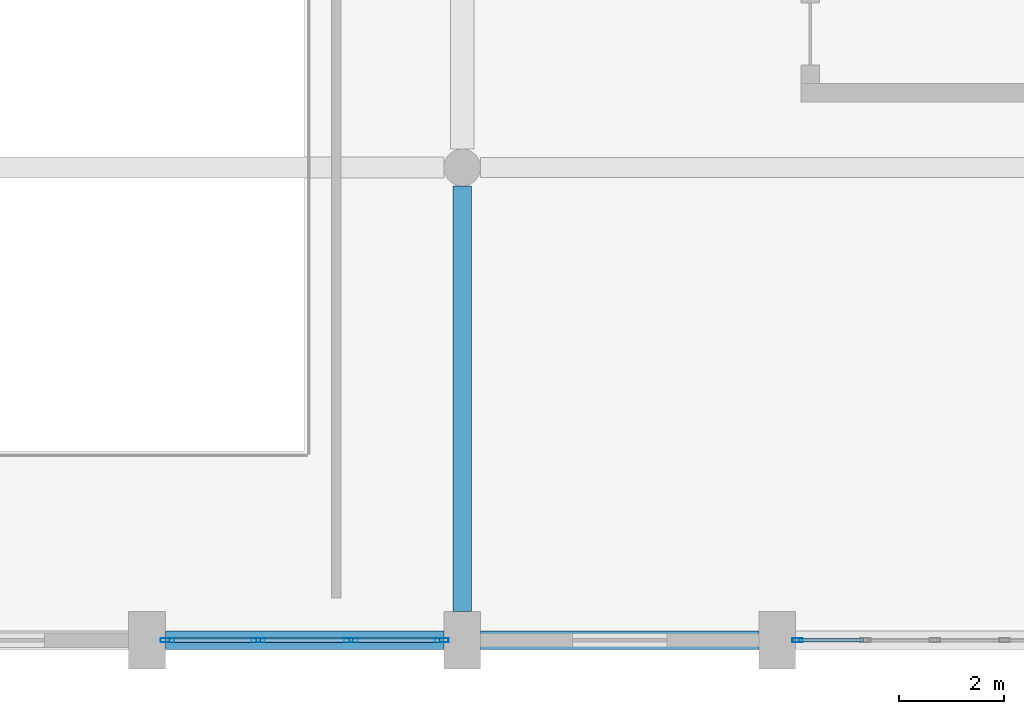
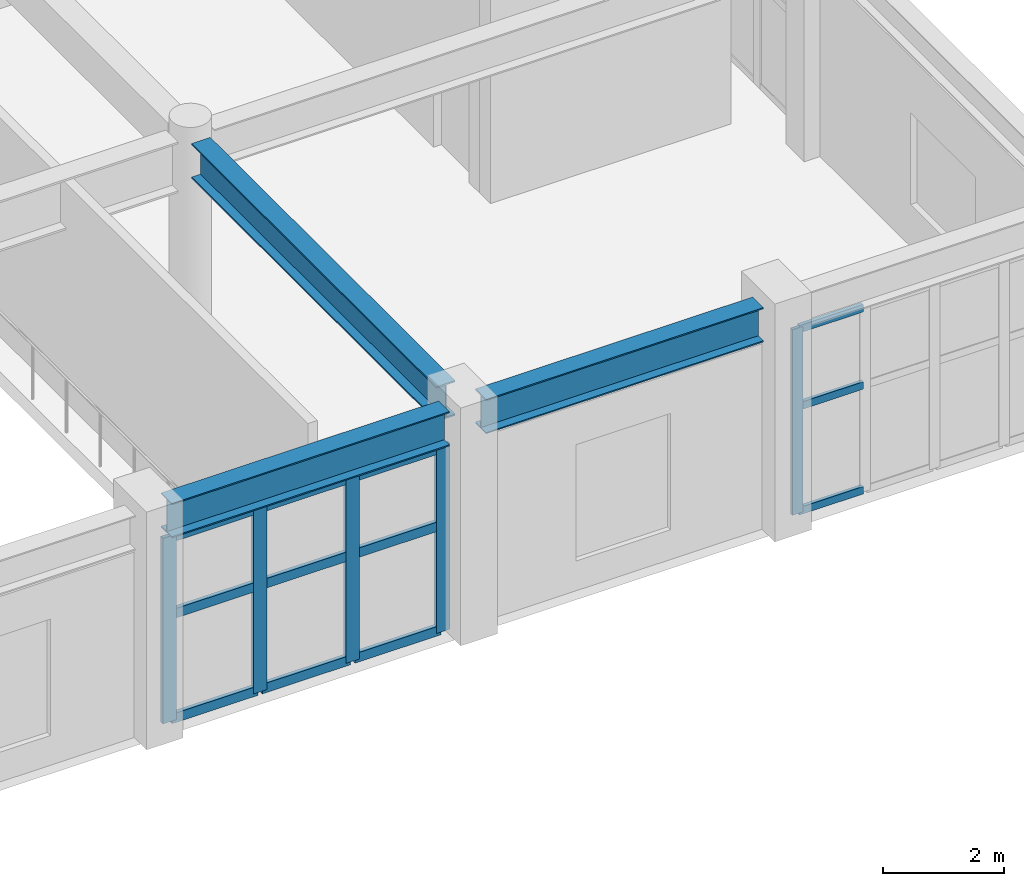
# One storey, part 20 of 85: 17 members, 3 beams, 2 elements without a shape of their own.
"""IFC4 building model written with IfcOpenShell, lengths in metres."""

from ifc_helpers import new_model, si_unit, direction, frame, origin, origin_2d, place, context, subcontext, project, spatial, hollow_rectangle, i_section, extrude, material, layer, layer_set, material_profile, profile_set, type_object, element, aggregate, save


model = new_model("IFC4")

# Units and contexts
model_context = context("Model", 3, precision=1e-05, world=origin(), true_north=direction((0.0, 1.0)))
body_context = subcontext(model_context, "Body", "Model", "MODEL_VIEW")
ifc_project = project(units=[si_unit("LENGTHUNIT", "METRE"), si_unit("AREAUNIT", "SQUARE_METRE"), si_unit("VOLUMEUNIT", "CUBIC_METRE"), si_unit("PLANEANGLEUNIT", "RADIAN"), si_unit("MASSUNIT", "GRAM", prefix="KILO")], contexts=[model_context])

# Site, building, storey
site_placement = place(None, origin())
site = spatial("IfcSite", under=ifc_project, at=site_placement, CompositionType="ELEMENT")
building_placement = place(site_placement, origin())
building = spatial("IfcBuilding", under=site, at=building_placement, Name="Vaelkrest Opera House", CompositionType="ELEMENT")
storey_placement = place(building_placement, frame((0.0, 0.0, 10.199951171875)))
storey = spatial("IfcBuildingStorey", under=building, at=storey_placement, Name="L02", CompositionType="ELEMENT", Elevation=10.199951171875)

# Beam
ifc_material_1 = material(Name="Steel A992 Gr50", Category="steel")
ifc_material_profile_1 = material_profile(ifc_material_1, i_section(OverallWidth=0.35791015625, OverallDepth=0.7060546875, WebThickness=0.018310546875, FlangeThickness=0.0302734375, at=origin_2d()), Name="W27X178")
ifc_profile_set_1 = profile_set([ifc_material_profile_1], Name="Steel A992 Gr50")
beam_type_1 = type_object("IfcBeamType", Name="B14", PredefinedType="BEAM", material=ifc_profile_set_1)
beam_placement = place(storey_placement, frame((18.0, -55.25, 4.152099609375), z_axis=(0.0, 1.0, 0.0), x_axis=(-1.0, 0.0, 0.0)))
element("IfcBeam", 1, at=beam_placement, inside=storey, type_object=beam_type_1, Name="Beam BM-V1-L02-0386", PredefinedType="BEAM", context=body_context, shape_type="SweptSolid", body=[
    extrude(i_section(OverallWidth=0.35791015625, OverallDepth=0.7060546875, WebThickness=0.018310546875, FlangeThickness=0.0302734375, at=origin_2d()), origin(), (0.0, 0.0, 1.0), 8.10009765625),
])

# Curtain wall, member
ifc_material_2 = material(Name="Dark bronze anodized aluminium", Category="aluminium")
ifc_layer_1 = layer(ifc_material_2, 0.18994140625)
ifc_layer_set_1 = layer_set([ifc_layer_1], Name="Dark bronze anodized aluminium")
curtain_wall_type_1 = type_object("IfcCurtainWallType", Name="CW02", PredefinedType="NOTDEFINED", material=ifc_layer_set_1)
curtain_wall_1_placement = place(storey_placement, origin())
curtain_wall_1 = element("IfcCurtainWall", 2, at=curtain_wall_1_placement, inside=storey, type_object=curtain_wall_type_1, Name="Curtain wall CW-L02-031", PredefinedType="NOTDEFINED")
ifc_material_profile_2 = material_profile(ifc_material_2, hollow_rectangle(XDim=0.070068359375, YDim=0.199951171875, WallThickness=0.004150390625, at=origin_2d()), Name="CWM70X200")
ifc_profile_set_2 = profile_set([ifc_material_profile_2], Name="Dark bronze anodized aluminium")
member_type_1 = type_object("IfcMemberType", Name="CWM02", PredefinedType="MULLION", material=ifc_profile_set_2)
member_1_placement = place(storey_placement, frame((24.383056640625, -55.800048828125, 0.0), z_axis=(0.0, 0.0, 1.0), x_axis=(0.0, -1.0, 0.0)))
member_1 = element("IfcMember", 3, at=member_1_placement, type_object=member_type_1, Name="CW02 mullion 5", PredefinedType="MULLION", context=body_context, shape_type="SweptSolid", body=[
    extrude(hollow_rectangle(XDim=0.070068359375, YDim=0.199951171875, WallThickness=0.004150390625, at=origin_2d()), origin(), (0.0, 0.0, 1.0), 3.7451171875),
])

# Curtain wall, members
ifc_layer_2 = layer(ifc_material_2, 0.2099609375)
ifc_layer_set_2 = layer_set([ifc_layer_2], Name="Dark bronze anodized aluminium")
curtain_wall_type_2 = type_object("IfcCurtainWallType", Name="CW04", PredefinedType="NOTDEFINED", material=ifc_layer_set_2)
curtain_wall_2_placement = place(storey_placement, origin())
curtain_wall_2 = element("IfcCurtainWall", 4, at=curtain_wall_2_placement, inside=storey, type_object=curtain_wall_type_2, Name="Curtain wall CW-L02-032", PredefinedType="NOTDEFINED")
ifc_material_profile_3 = material_profile(ifc_material_2, hollow_rectangle(XDim=0.080078125, YDim=0.260009765625, WallThickness=0.0048828125, at=origin_2d()), Name="CWM80X260")
ifc_profile_set_3 = profile_set([ifc_material_profile_3], Name="Dark bronze anodized aluminium")
member_type_2 = type_object("IfcMemberType", Name="CWM04", PredefinedType="MULLION", material=ifc_profile_set_3)
member_2_placement = place(storey_placement, frame((17.612060546875, -55.800048828125, 0.0), z_axis=(0.0, 0.0, 1.0), x_axis=(0.0, -1.0, 0.0)))
member_2 = element("IfcMember", 5, at=member_2_placement, type_object=member_type_2, Name="CW04 mullion 1", PredefinedType="MULLION", context=body_context, shape_type="SweptSolid", body=[
    extrude(hollow_rectangle(XDim=0.080078125, YDim=0.260009765625, WallThickness=0.0048828125, at=origin_2d()), origin(), (0.0, 0.0, 1.0), 3.7451171875),
])
member_3_placement = place(storey_placement, frame((15.884033203125, -55.800048828125, 0.0), z_axis=(0.0, 0.0, 1.0), x_axis=(0.0, -1.0, 0.0)))
member_3 = element("IfcMember", 6, at=member_3_placement, type_object=member_type_2, Name="CW04 mullion 2", PredefinedType="MULLION", context=body_context, shape_type="SweptSolid", body=[
    extrude(hollow_rectangle(XDim=0.080078125, YDim=0.260009765625, WallThickness=0.0048828125, at=origin_2d()), origin(), (0.0, 0.0, 1.0), 3.7451171875),
])
member_4_placement = place(storey_placement, frame((14.115966796875, -55.800048828125, 0.0), z_axis=(0.0, 0.0, 1.0), x_axis=(0.0, -1.0, 0.0)))
member_4 = element("IfcMember", 7, at=member_4_placement, type_object=member_type_2, Name="CW04 mullion 3", PredefinedType="MULLION", context=body_context, shape_type="SweptSolid", body=[
    extrude(hollow_rectangle(XDim=0.080078125, YDim=0.260009765625, WallThickness=0.0048828125, at=origin_2d()), origin(), (0.0, 0.0, 1.0), 3.7451171875),
])
member_5_placement = place(storey_placement, frame((12.387939453125, -55.800048828125, 0.0), z_axis=(0.0, 0.0, 1.0), x_axis=(0.0, -1.0, 0.0)))
member_5 = element("IfcMember", 8, at=member_5_placement, type_object=member_type_2, Name="CW04 mullion 4", PredefinedType="MULLION", context=body_context, shape_type="SweptSolid", body=[
    extrude(hollow_rectangle(XDim=0.080078125, YDim=0.260009765625, WallThickness=0.0048828125, at=origin_2d()), origin(), (0.0, 0.0, 1.0), 3.7451171875),
])

# Member
ifc_material_profile_4 = material_profile(ifc_material_2, hollow_rectangle(XDim=0.070068359375, YDim=0.14990234375, WallThickness=0.004150390625, at=origin_2d()), Name="CWT70X150")
ifc_profile_set_4 = profile_set([ifc_material_profile_4], Name="Dark bronze anodized aluminium")
member_type_3 = type_object("IfcMemberType", Name="CWT02", PredefinedType="USERDEFINED", material=ifc_profile_set_4)
member_6_placement = place(storey_placement, frame((25.638916015625, -55.800048828125, 0.03515625), z_axis=(-1.0, 0.0, 0.0), x_axis=(0.0, -1.0, 0.0)))
member_6 = element("IfcMember", 9, at=member_6_placement, type_object=member_type_3, Name="CW02 transom 4.1", ObjectType="TRANSOM", PredefinedType="USERDEFINED", context=body_context, shape_type="SweptSolid", body=[
    extrude(hollow_rectangle(XDim=0.070068359375, YDim=0.14990234375, WallThickness=0.004150390625, at=origin_2d()), origin(), (0.0, 0.0, 1.0), 1.220947265625),
])

member_7_placement = place(storey_placement, frame((25.638916015625, -55.800048828125, 2.150146484375), z_axis=(-1.0, 0.0, 0.0), x_axis=(0.0, -1.0, 0.0)))
member_7 = element("IfcMember", 10, at=member_7_placement, type_object=member_type_3, Name="CW02 transom 4.2", ObjectType="TRANSOM", PredefinedType="USERDEFINED", context=body_context, shape_type="SweptSolid", body=[
    extrude(hollow_rectangle(XDim=0.070068359375, YDim=0.14990234375, WallThickness=0.004150390625, at=origin_2d()), origin(), (0.0, 0.0, 1.0), 1.220947265625),
])

member_8_placement = place(storey_placement, frame((25.638916015625, -55.800048828125, 3.7099609375), z_axis=(-1.0, 0.0, 0.0), x_axis=(0.0, -1.0, 0.0)))
member_8 = element("IfcMember", 11, at=member_8_placement, type_object=member_type_3, Name="CW02 transom 4.3", ObjectType="TRANSOM", PredefinedType="USERDEFINED", context=body_context, shape_type="SweptSolid", body=[
    extrude(hollow_rectangle(XDim=0.070068359375, YDim=0.14990234375, WallThickness=0.004150390625, at=origin_2d()), origin(), (0.0, 0.0, 1.0), 1.220947265625),
])

aggregate(curtain_wall_1, [member_1, member_6, member_7, member_8])

ifc_material_profile_5 = material_profile(ifc_material_2, hollow_rectangle(XDim=0.080078125, YDim=0.18994140625, WallThickness=0.0048828125, at=origin_2d()), Name="CWT80X190")
ifc_profile_set_5 = profile_set([ifc_material_profile_5], Name="Dark bronze anodized aluminium")
member_type_4 = type_object("IfcMemberType", Name="CWT04", PredefinedType="USERDEFINED", material=ifc_profile_set_5)
member_9_placement = place(storey_placement, frame((17.572021484375, -55.800048828125, 0.0400390625), z_axis=(-1.0, 0.0, 0.0), x_axis=(0.0, -1.0, 0.0)))
member_9 = element("IfcMember", 12, at=member_9_placement, type_object=member_type_4, Name="CW04 transom 1.1", ObjectType="TRANSOM", PredefinedType="USERDEFINED", context=body_context, shape_type="SweptSolid", body=[
    extrude(hollow_rectangle(XDim=0.080078125, YDim=0.18994140625, WallThickness=0.0048828125, at=origin_2d()), origin(), (0.0, 0.0, 1.0), 1.64794921875),
])

member_10_placement = place(storey_placement, frame((17.572021484375, -55.800048828125, 2.150146484375), z_axis=(-1.0, 0.0, 0.0), x_axis=(0.0, -1.0, 0.0)))
member_10 = element("IfcMember", 13, at=member_10_placement, type_object=member_type_4, Name="CW04 transom 1.2", ObjectType="TRANSOM", PredefinedType="USERDEFINED", context=body_context, shape_type="SweptSolid", body=[
    extrude(hollow_rectangle(XDim=0.080078125, YDim=0.18994140625, WallThickness=0.0048828125, at=origin_2d()), origin(), (0.0, 0.0, 1.0), 1.64794921875),
])

member_11_placement = place(storey_placement, frame((17.572021484375, -55.800048828125, 3.705078125), z_axis=(-1.0, 0.0, 0.0), x_axis=(0.0, -1.0, 0.0)))
member_11 = element("IfcMember", 14, at=member_11_placement, type_object=member_type_4, Name="CW04 transom 1.3", ObjectType="TRANSOM", PredefinedType="USERDEFINED", context=body_context, shape_type="SweptSolid", body=[
    extrude(hollow_rectangle(XDim=0.080078125, YDim=0.18994140625, WallThickness=0.0048828125, at=origin_2d()), origin(), (0.0, 0.0, 1.0), 1.64794921875),
])

member_12_placement = place(storey_placement, frame((15.843994140625, -55.800048828125, 0.0400390625), z_axis=(-1.0, 0.0, 0.0), x_axis=(0.0, -1.0, 0.0)))
member_12 = element("IfcMember", 15, at=member_12_placement, type_object=member_type_4, Name="CW04 transom 2.1", ObjectType="TRANSOM", PredefinedType="USERDEFINED", context=body_context, shape_type="SweptSolid", body=[
    extrude(hollow_rectangle(XDim=0.080078125, YDim=0.18994140625, WallThickness=0.0048828125, at=origin_2d()), origin(), (0.0, 0.0, 1.0), 1.68798828125),
])

member_13_placement = place(storey_placement, frame((15.843994140625, -55.800048828125, 2.150146484375), z_axis=(-1.0, 0.0, 0.0), x_axis=(0.0, -1.0, 0.0)))
member_13 = element("IfcMember", 16, at=member_13_placement, type_object=member_type_4, Name="CW04 transom 2.2", ObjectType="TRANSOM", PredefinedType="USERDEFINED", context=body_context, shape_type="SweptSolid", body=[
    extrude(hollow_rectangle(XDim=0.080078125, YDim=0.18994140625, WallThickness=0.0048828125, at=origin_2d()), origin(), (0.0, 0.0, 1.0), 1.68798828125),
])

member_14_placement = place(storey_placement, frame((15.843994140625, -55.800048828125, 3.705078125), z_axis=(-1.0, 0.0, 0.0), x_axis=(0.0, -1.0, 0.0)))
member_14 = element("IfcMember", 17, at=member_14_placement, type_object=member_type_4, Name="CW04 transom 2.3", ObjectType="TRANSOM", PredefinedType="USERDEFINED", context=body_context, shape_type="SweptSolid", body=[
    extrude(hollow_rectangle(XDim=0.080078125, YDim=0.18994140625, WallThickness=0.0048828125, at=origin_2d()), origin(), (0.0, 0.0, 1.0), 1.68798828125),
])

member_15_placement = place(storey_placement, frame((14.075927734375, -55.800048828125, 0.0400390625), z_axis=(-1.0, 0.0, 0.0), x_axis=(0.0, -1.0, 0.0)))
member_15 = element("IfcMember", 18, at=member_15_placement, type_object=member_type_4, Name="CW04 transom 3.1", ObjectType="TRANSOM", PredefinedType="USERDEFINED", context=body_context, shape_type="SweptSolid", body=[
    extrude(hollow_rectangle(XDim=0.080078125, YDim=0.18994140625, WallThickness=0.0048828125, at=origin_2d()), origin(), (0.0, 0.0, 1.0), 1.64794921875),
])

member_16_placement = place(storey_placement, frame((14.075927734375, -55.800048828125, 2.150146484375), z_axis=(-1.0, 0.0, 0.0), x_axis=(0.0, -1.0, 0.0)))
member_16 = element("IfcMember", 19, at=member_16_placement, type_object=member_type_4, Name="CW04 transom 3.2", ObjectType="TRANSOM", PredefinedType="USERDEFINED", context=body_context, shape_type="SweptSolid", body=[
    extrude(hollow_rectangle(XDim=0.080078125, YDim=0.18994140625, WallThickness=0.0048828125, at=origin_2d()), origin(), (0.0, 0.0, 1.0), 1.64794921875),
])

member_17_placement = place(storey_placement, frame((14.075927734375, -55.800048828125, 3.705078125), z_axis=(-1.0, 0.0, 0.0), x_axis=(0.0, -1.0, 0.0)))
member_17 = element("IfcMember", 20, at=member_17_placement, type_object=member_type_4, Name="CW04 transom 3.3", ObjectType="TRANSOM", PredefinedType="USERDEFINED", context=body_context, shape_type="SweptSolid", body=[
    extrude(hollow_rectangle(XDim=0.080078125, YDim=0.18994140625, WallThickness=0.0048828125, at=origin_2d()), origin(), (0.0, 0.0, 1.0), 1.64794921875),
])

aggregate(curtain_wall_2, [member_2, member_3, member_4, member_5, member_9, member_10, member_11, member_12, member_13, member_14, member_15, member_16, member_17])

# Beams
ifc_material_profile_6 = material_profile(ifc_material_1, i_section(OverallWidth=0.35498046875, OverallDepth=0.695068359375, WebThickness=0.015380859375, FlangeThickness=0.02490234375, at=origin_2d()), Name="W27X146")
ifc_profile_set_6 = profile_set([ifc_material_profile_6], Name="Steel A992 Gr50")
beam_type_2 = type_object("IfcBeamType", Name="SP02", PredefinedType="SPANDREL", material=ifc_profile_set_6)
for number, where, z_axis, x_axis, name in (
    (21, (12.35009765625, -55.800048828125, 4.157470703125), (1.0, 0.0, 0.0), (0.0, 1.0, 0.0), "Beam BM-V1-L02-0320"),
    (22, (18.35009765625, -55.800048828125, 4.157470703125), (1.0, 0.0, 0.0), (0.0, 1.0, 0.0), "Beam BM-V1-L02-0321"),
):
    element("IfcBeam", number, at=place(storey_placement, frame(where, z_axis=z_axis, x_axis=x_axis)), inside=storey, type_object=beam_type_2, Name=name, PredefinedType="SPANDREL", context=body_context, shape_type="SweptSolid", body=[
        extrude(i_section(OverallWidth=0.35498046875, OverallDepth=0.695068359375, WebThickness=0.015380859375, FlangeThickness=0.02490234375, at=origin_2d()), origin(), (0.0, 0.0, 1.0), 5.2998046875),
    ])

save(model, "model.ifc")
